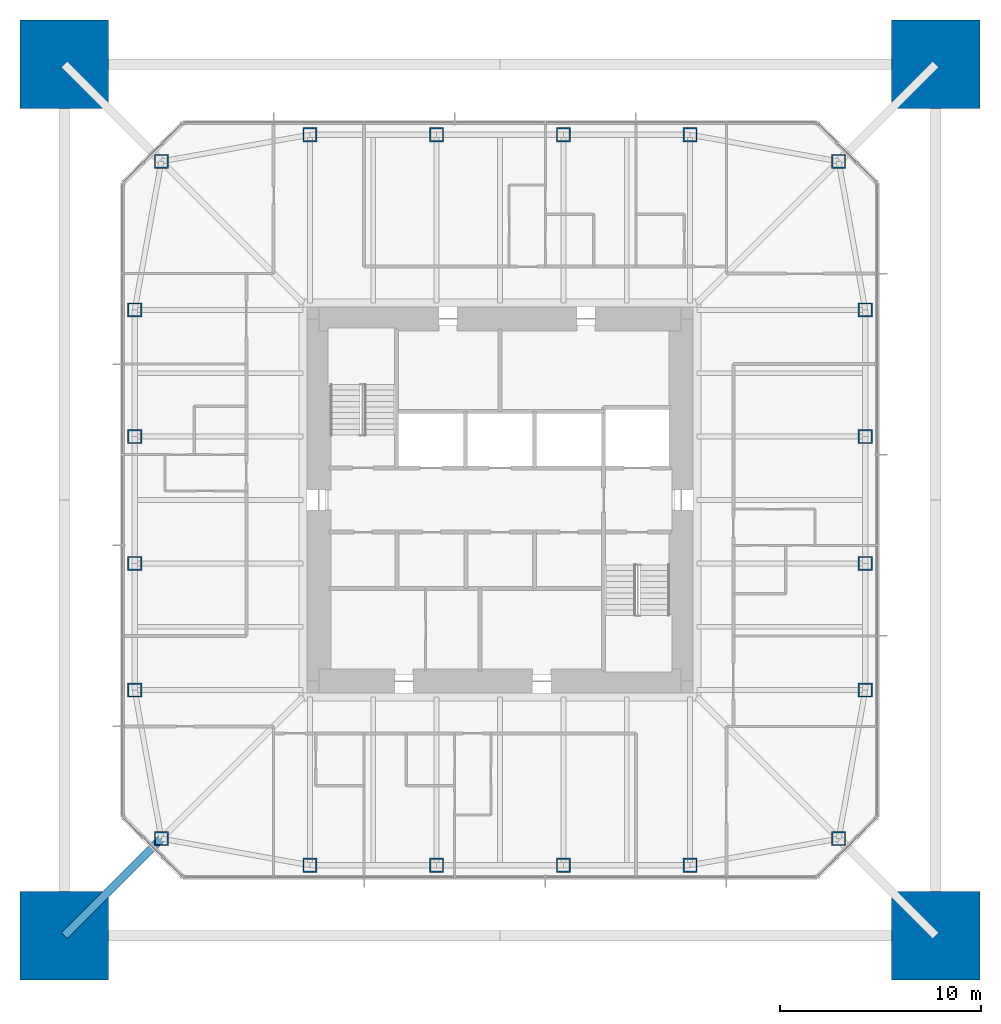
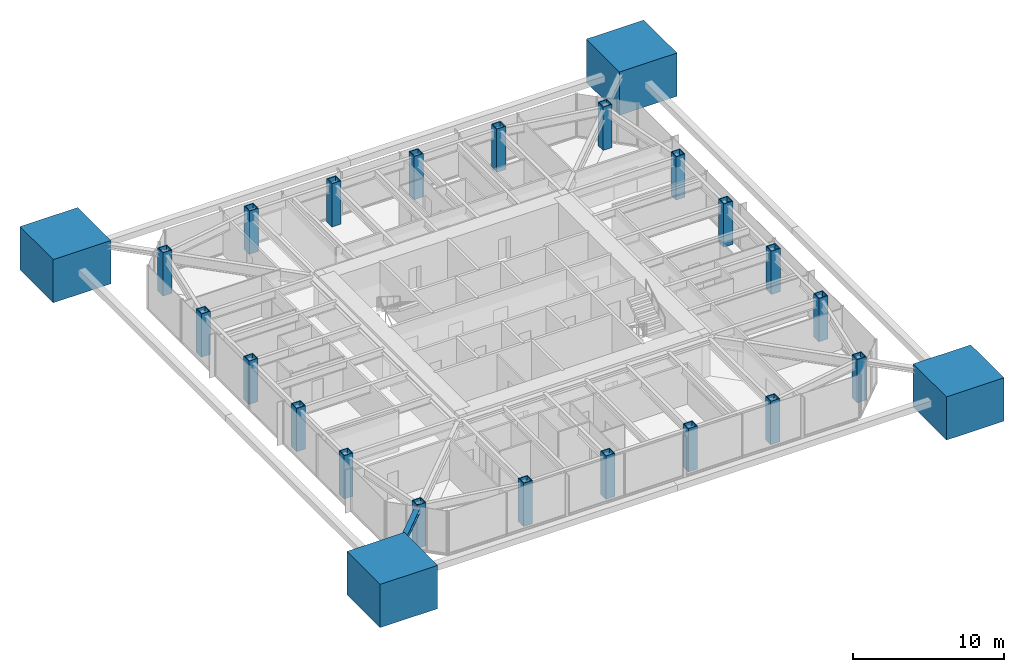
# One storey, part 1 of 13: 24 columns, 1 member.
"""IFC4 building model written with IfcOpenShell, lengths in metres."""

from ifc_helpers import new_model, si_unit, direction, frame, origin, origin_2d, place, context, subcontext, project, spatial, rectangle, hollow_rectangle, i_section, extrude, material, material_profile, profile_set, type_object, element, save


model = new_model("IFC4")

# Units and contexts
model_context = context("Model", 3, precision=1e-05, world=origin(), true_north=direction((0.0, 1.0)))
body_context = subcontext(model_context, "Body", "Model", "MODEL_VIEW")
ifc_project = project(units=[si_unit("LENGTHUNIT", "METRE"), si_unit("AREAUNIT", "SQUARE_METRE"), si_unit("VOLUMEUNIT", "CUBIC_METRE"), si_unit("PLANEANGLEUNIT", "RADIAN"), si_unit("MASSUNIT", "GRAM", prefix="KILO")], contexts=[model_context])

# Site, building, storey
site_placement = place(None, origin())
site = spatial("IfcSite", under=ifc_project, at=site_placement, CompositionType="ELEMENT")
building_placement = place(site_placement, origin())
building = spatial("IfcBuilding", under=site, at=building_placement, Name="Iwan Alto Co-Living Towers", CompositionType="ELEMENT")
storey_placement = place(building_placement, frame((0.0, 0.0, 191.5)))
storey = spatial("IfcBuildingStorey", under=building, at=storey_placement, Name="L52", CompositionType="ELEMENT", Elevation=191.5)

# Columns
ifc_material_1 = material(Name="Concrete f'c 70 MPa", Category="concrete")
ifc_material_profile_1 = material_profile(ifc_material_1, rectangle(XDim=4.39990234375, YDim=4.39990234375, at=origin_2d()), Name="RC 4400X4400")
ifc_profile_set_1 = profile_set([ifc_material_profile_1], Name="Concrete f'c 70 MPa")
column_type_1 = type_object("IfcColumnType", Name="T1 MEGA COLUMN RC 4400X4400", PredefinedType="COLUMN", material=ifc_profile_set_1)
for number, where, z_axis, x_axis, name in (
    (1, (-21.64990234375, -21.64990234375, 0.0), (0.0, 0.0, 1.0), (1.0, 0.0, 0.0), "T1 mega column SW L52"),
    (2, (21.64990234375, -21.64990234375, 0.0), (0.0, 0.0, 1.0), (1.0, 0.0, 0.0), "T1 mega column SE L52"),
    (3, (21.64990234375, 21.64990234375, 0.0), (0.0, 0.0, 1.0), (1.0, 0.0, 0.0), "T1 mega column NE L52"),
    (4, (-21.64990234375, 21.64990234375, 0.0), (0.0, 0.0, 1.0), (1.0, 0.0, 0.0), "T1 mega column NW L52"),
):
    element("IfcColumn", number, at=place(storey_placement, frame(where, z_axis=z_axis, x_axis=x_axis)), inside=storey, type_object=column_type_1, Name=name, PredefinedType="COLUMN", context=body_context, shape_type="SweptSolid", body=[
        extrude(rectangle(XDim=4.39990234375, YDim=4.39990234375, at=origin_2d()), origin(), (0.0, 0.0, 1.0), 3.5),
        extrude(i_section(OverallWidth=0.4775390625, OverallDepth=0.599365234375, WebThickness=0.10009765625, FlangeThickness=0.139892578125, at=origin_2d()), origin(), (0.0, 0.0, 1.0), 3.5),
    ])
ifc_material_2 = material(Name="Steel ASTM A572 Gr 50", Category="steel")
ifc_material_profile_2 = material_profile(ifc_material_2, hollow_rectangle(XDim=0.699951171875, YDim=0.699951171875, WallThickness=0.06005859375, at=origin_2d()), Name="BOX 700X700X60")
ifc_profile_set_2 = profile_set([ifc_material_profile_2], Name="Steel ASTM A572 Gr 50")
column_type_2 = type_object("IfcColumnType", Name="T1 RING COLUMN BOX 700X700X60", PredefinedType="COLUMN", material=ifc_profile_set_2)
for number, where, z_axis, x_axis, name in (
    (5, (-16.82568359375, -16.82568359375, 0.0), (0.0, 0.0, 1.0), (1.0, 0.0, 0.0), "T1 ring column CSW L52"),
    (6, (-9.449951171875, -18.14990234375, 0.0), (0.0, 0.0, 1.0), (1.0, 0.0, 0.0), "T1 ring column S1 L52"),
    (7, (-3.14990234375, -18.14990234375, 0.0), (0.0, 0.0, 1.0), (1.0, 0.0, 0.0), "T1 ring column S2 L52"),
    (8, (3.14990234375, -18.14990234375, 0.0), (0.0, 0.0, 1.0), (1.0, 0.0, 0.0), "T1 ring column S3 L52"),
    (9, (9.449951171875, -18.14990234375, 0.0), (0.0, 0.0, 1.0), (1.0, 0.0, 0.0), "T1 ring column S4 L52"),
    (10, (16.82568359375, -16.82568359375, 0.0), (0.0, 0.0, 1.0), (1.0, 0.0, 0.0), "T1 ring column CSE L52"),
    (11, (18.14990234375, -9.449951171875, 0.0), (0.0, 0.0, 1.0), (1.0, 0.0, 0.0), "T1 ring column E1 L52"),
    (12, (18.14990234375, -3.14990234375, 0.0), (0.0, 0.0, 1.0), (1.0, 0.0, 0.0), "T1 ring column E2 L52"),
    (13, (18.14990234375, 3.14990234375, 0.0), (0.0, 0.0, 1.0), (1.0, 0.0, 0.0), "T1 ring column E3 L52"),
    (14, (18.14990234375, 9.449951171875, 0.0), (0.0, 0.0, 1.0), (1.0, 0.0, 0.0), "T1 ring column E4 L52"),
    (15, (16.82568359375, 16.82568359375, 0.0), (0.0, 0.0, 1.0), (1.0, 0.0, 0.0), "T1 ring column CNE L52"),
    (16, (9.449951171875, 18.14990234375, 0.0), (0.0, 0.0, 1.0), (1.0, 0.0, 0.0), "T1 ring column N1 L52"),
    (17, (3.14990234375, 18.14990234375, 0.0), (0.0, 0.0, 1.0), (1.0, 0.0, 0.0), "T1 ring column N2 L52"),
    (18, (-3.14990234375, 18.14990234375, 0.0), (0.0, 0.0, 1.0), (1.0, 0.0, 0.0), "T1 ring column N3 L52"),
    (19, (-9.449951171875, 18.14990234375, 0.0), (0.0, 0.0, 1.0), (1.0, 0.0, 0.0), "T1 ring column N4 L52"),
    (20, (-16.82568359375, 16.82568359375, 0.0), (0.0, 0.0, 1.0), (1.0, 0.0, 0.0), "T1 ring column CNW L52"),
    (21, (-18.14990234375, 9.449951171875, 0.0), (0.0, 0.0, 1.0), (1.0, 0.0, 0.0), "T1 ring column W1 L52"),
    (22, (-18.14990234375, 3.14990234375, 0.0), (0.0, 0.0, 1.0), (1.0, 0.0, 0.0), "T1 ring column W2 L52"),
    (23, (-18.14990234375, -3.14990234375, 0.0), (0.0, 0.0, 1.0), (1.0, 0.0, 0.0), "T1 ring column W3 L52"),
    (24, (-18.14990234375, -9.449951171875, 0.0), (0.0, 0.0, 1.0), (1.0, 0.0, 0.0), "T1 ring column W4 L52"),
):
    element("IfcColumn", number, at=place(storey_placement, frame(where, z_axis=z_axis, x_axis=x_axis)), inside=storey, type_object=column_type_2, Name=name, PredefinedType="COLUMN", context=body_context, shape_type="SweptSolid", body=[
        extrude(hollow_rectangle(XDim=0.699951171875, YDim=0.699951171875, WallThickness=0.06005859375, at=origin_2d()), origin(), (0.0, 0.0, 1.0), 3.5),
    ])

# Member
ifc_material_3 = material(Name="Steel ASTM A992 Gr 50", Category="steel")
ifc_material_profile_3 = material_profile(ifc_material_3, i_section(OverallWidth=0.393798828125, OverallDepth=0.3759765625, WebThickness=0.017333984375, FlangeThickness=0.027587890625, at=origin_2d()), Name="W14X145")
ifc_profile_set_3 = profile_set([ifc_material_profile_3], Name="Steel ASTM A992 Gr 50")
member_type = type_object("IfcMemberType", Name="T1 MEGA COLUMN FLOOR TIE W14X145", PredefinedType="STRUT", material=ifc_profile_set_3)
member_placement = place(storey_placement, frame((-21.64990234375, -21.64990234375, 3.08203125), z_axis=(0.707106781187, 0.707106781187, 0.0), x_axis=(-0.707106781187, 0.707106781187, 0.0)))
element("IfcMember", 25, at=member_placement, inside=storey, type_object=member_type, Name="T1 mega column floor tie SW L53", PredefinedType="STRUT", context=body_context, shape_type="SweptSolid", body=[
    extrude(i_section(OverallWidth=0.393798828125, OverallDepth=0.3759765625, WebThickness=0.017333984375, FlangeThickness=0.027587890625, at=origin_2d()), origin(), (0.0, 0.0, 1.0), 6.822509765625),
])

save(model, "model.ifc")
